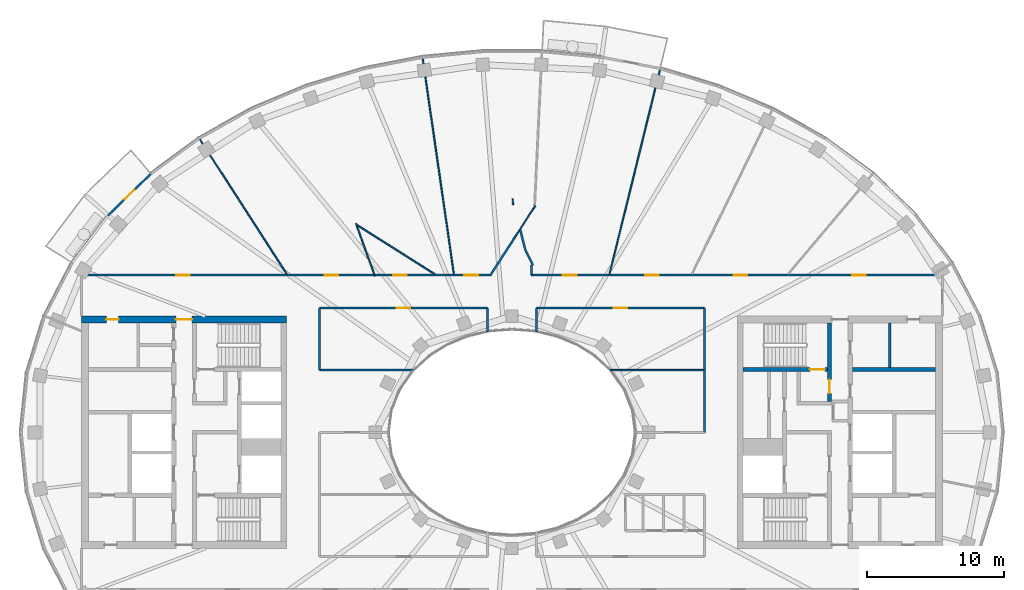
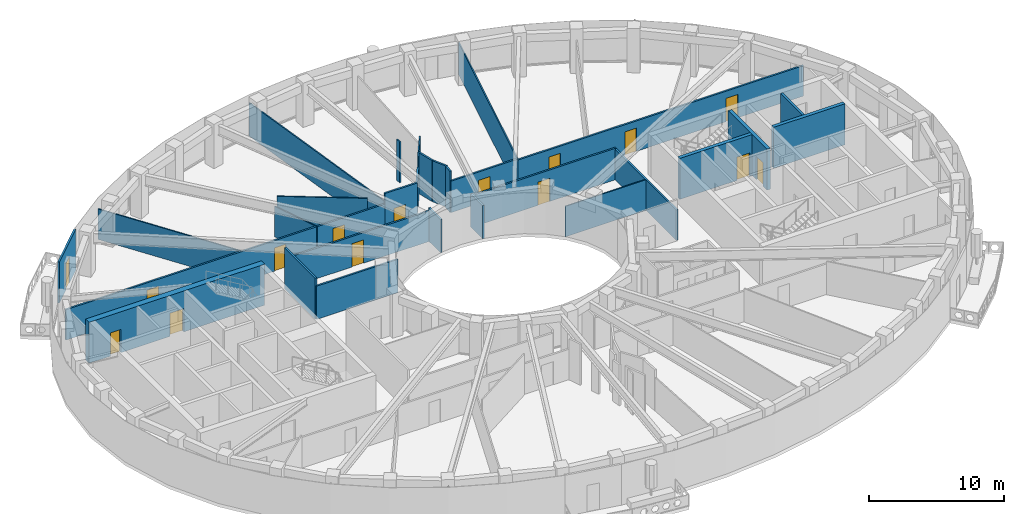
# One storey, part 6 of 16: 30 walls, 15 doors, 15 openings.
"""IFC4 building model written with IfcOpenShell, lengths in metres."""

from ifc_helpers import new_model, si_unit, direction, frame, frame_2d, origin, place, context, subcontext, project, spatial, rectangle, extrude, material, layer, layer_set, type_object, element, fill, save


model = new_model("IFC4")

# Units and contexts
model_context = context("Model", 3, precision=1e-05, world=origin(), true_north=direction((0.0, 1.0)))
body_context = subcontext(model_context, "Body", "Model", "MODEL_VIEW")
ifc_project = project(units=[si_unit("LENGTHUNIT", "METRE"), si_unit("AREAUNIT", "SQUARE_METRE"), si_unit("VOLUMEUNIT", "CUBIC_METRE"), si_unit("PLANEANGLEUNIT", "RADIAN"), si_unit("MASSUNIT", "GRAM", prefix="KILO")], contexts=[model_context])

# Site, building, storey
site_placement = place(None, origin())
site = spatial("IfcSite", under=ifc_project, at=site_placement, CompositionType="ELEMENT")
building_placement = place(site_placement, origin())
building = spatial("IfcBuilding", under=site, at=building_placement, Name="Noorbagh Ring Tower", CompositionType="ELEMENT")
storey_placement = place(building_placement, frame((0.0, 0.0, 315.0)))
storey = spatial("IfcBuildingStorey", under=building, at=storey_placement, Name="L68", CompositionType="ELEMENT", Elevation=315.0)

# Walls
ifc_material_1 = material(Name="Gypsum board on steel studs", Category="steel")
ifc_layer_1 = layer(ifc_material_1, 0.199951171875)
ifc_layer_set_1 = layer_set([ifc_layer_1], Name="Gypsum board on steel studs")
wall_type_1 = type_object("IfcWallType", Name="CORE-PARTITION-200", PredefinedType="PARTITIONING", material=ifc_layer_set_1)
wall_1_placement = place(storey_placement, frame((27.64990234375, 4.75, 0.0), z_axis=(0.0, 0.0, 1.0), x_axis=(0.0, 1.0, 0.0)))
element("IfcWall", 1, at=wall_1_placement, inside=storey, type_object=wall_type_1, Name="Core partition E", PredefinedType="PARTITIONING", context=body_context, shape_type="SweptSolid", body=[
    extrude(rectangle(XDim=3.25, YDim=0.199951171875, at=frame_2d((1.625, 0.0))), origin(), (0.0, 0.0, 1.0), 3.699951171875),
])
ifc_material_2 = material(Name="Concrete C50/60", Category="concrete")
ifc_layer_2 = layer(ifc_material_2, 0.300048828125)
ifc_layer_set_2 = layer_set([ifc_layer_2], Name="Concrete C50/60")
wall_type_2 = type_object("IfcWallType", Name="CORE-WALL-300-C50-60-EI240", PredefinedType="SHEAR", material=ifc_layer_set_2)
wall_2_placement = place(storey_placement, frame((24.89990234375, 4.60009765625, 0.0), z_axis=(0.0, 0.0, 1.0), x_axis=(1.0, 0.0, 0.0)))
element("IfcWall", 2, at=wall_2_placement, inside=storey, type_object=wall_type_2, Name="Core wall E", PredefinedType="SHEAR", context=body_context, shape_type="SweptSolid", body=[
    extrude(rectangle(XDim=6.10009765625, YDim=0.300048828125, at=frame_2d((3.050048828125, 0.0))), origin(), (0.0, 0.0, 1.0), 3.699951171875),
])

# Wall, opening, door
wall_3_placement = place(storey_placement, frame((23.22998046875, 2.25, 0.0), z_axis=(0.0, 0.0, 1.0), x_axis=(0.0, 1.0, 0.0)))
wall_3 = element("IfcWall", 3, at=wall_3_placement, inside=storey, type_object=wall_type_2, Name="Core wall E", PredefinedType="SHEAR", context=body_context, shape_type="SweptSolid", body=[
    extrude(rectangle(XDim=5.75, YDim=0.300048828125, at=frame_2d((2.875, 0.0))), origin(), (0.0, 0.0, 1.0), 3.699951171875),
])
opening_1_placement = place(wall_3_placement, frame((0.60009765625, 0.0, 0.0)))
opening_1 = element("IfcOpeningElement", 4, at=opening_1_placement, cuts=wall_3, Name="Opening L68-CE07", PredefinedType="OPENING", context=body_context, shape_type="SweptSolid", body=[
    extrude(rectangle(XDim=1.0, YDim=2.10009765625, at=frame_2d((0.5, 1.050048828125))), frame((0.0, 0.16015625, 0.0), z_axis=(0.0, -1.0, 0.0), x_axis=(1.0, 0.0, 0.0)), (0.0, 0.0, 1.0), 0.320068359375),
])
ifc_material_3 = material(Name="Steel door leaf", Category="steel")
door_type_1 = type_object("IfcDoorType", Name="CORE-DOOR-DVEST", OperationType="SINGLE_SWING_LEFT", PredefinedType="DOOR", material=ifc_material_3)
door_1_placement = place(opening_1_placement, origin())
door_1 = element("IfcDoor", 5, at=door_1_placement, inside=storey, type_object=door_type_1, Name="Stair vestibule door L68-CE07", OperationType="SINGLE_SWING_RIGHT", OverallHeight=2.10009765625, OverallWidth=1.0, PredefinedType="DOOR", context=body_context, shape_type="SweptSolid", body=[
    extrude(rectangle(XDim=1.0, YDim=2.10009765625, at=frame_2d((0.5, 1.050048828125))), frame((0.0, 0.02490234375, 0.0), z_axis=(0.0, -1.0, 0.0), x_axis=(1.0, 0.0, 0.0)), (0.0, 0.0, 1.0), 0.050048828125),
])
fill(opening_1, door_1)

wall_4_placement = place(storey_placement, frame((16.89990234375, 4.60009765625, 0.0), z_axis=(0.0, 0.0, 1.0), x_axis=(1.0, 0.0, 0.0)))
wall_4 = element("IfcWall", 6, at=wall_4_placement, inside=storey, type_object=wall_type_2, Name="Core wall E", PredefinedType="SHEAR", context=body_context, shape_type="SweptSolid", body=[
    extrude(rectangle(XDim=6.18017578125, YDim=0.300048828125, at=frame_2d((3.090087890625, 0.0))), origin(), (0.0, 0.0, 1.0), 3.699951171875),
])
opening_2_placement = place(wall_4_placement, frame((4.89990234375, 0.0, 0.0)))
opening_2 = element("IfcOpeningElement", 7, at=opening_2_placement, cuts=wall_4, Name="Opening L68-CE04", PredefinedType="OPENING", context=body_context, shape_type="SweptSolid", body=[
    extrude(rectangle(XDim=1.10009765625, YDim=2.10009765625, at=frame_2d((0.550048828125, 1.050048828125))), frame((0.0, 0.16015625, 0.0), z_axis=(0.0, -1.0, 0.0), x_axis=(1.0, 0.0, 0.0)), (0.0, 0.0, 1.0), 0.320068359375),
])
ifc_material_4 = material(Name="Steel door leaf", Category="steel")
door_type_2 = type_object("IfcDoorType", Name="CORE-DOOR-DSTAIR", OperationType="SINGLE_SWING_LEFT", PredefinedType="DOOR", material=ifc_material_4)
door_2_placement = place(opening_2_placement, origin())
door_2 = element("IfcDoor", 8, at=door_2_placement, inside=storey, type_object=door_type_2, Name="Stair door ST3 L68-CE04", OperationType="SINGLE_SWING_LEFT", OverallHeight=2.10009765625, OverallWidth=1.10009765625, PredefinedType="DOOR", context=body_context, shape_type="SweptSolid", body=[
    extrude(rectangle(XDim=1.10009765625, YDim=2.10009765625, at=frame_2d((0.550048828125, 1.050048828125))), frame((0.0, 0.02490234375, 0.0), z_axis=(0.0, -1.0, 0.0), x_axis=(1.0, 0.0, 0.0)), (0.0, 0.0, 1.0), 0.050048828125),
])
fill(opening_2, door_2)

# Wall, openings, doors
ifc_material_5 = material(Name="Concrete C50/60", Category="concrete")
ifc_layer_3 = layer(ifc_material_5, 0.5)
ifc_layer_set_3 = layer_set([ifc_layer_3], Name="Concrete C50/60")
wall_type_3 = type_object("IfcWallType", Name="CORE-WALL-500-C50-60-EI240", PredefinedType="SHEAR", material=ifc_layer_set_3)
wall_5_placement = place(storey_placement, frame((-16.5, 8.25, 0.0), z_axis=(0.0, 0.0, 1.0), x_axis=(-1.0, 0.0, 0.0)))
wall_5 = element("IfcWall", 9, at=wall_5_placement, inside=storey, type_object=wall_type_3, Name="Core wall W", PredefinedType="SHEAR", context=body_context, shape_type="SweptSolid", body=[
    extrude(rectangle(XDim=15.0, YDim=0.5, at=frame_2d((7.5, 0.0))), origin(), (0.0, 0.0, 1.0), 3.699951171875),
])
opening_3_placement = place(wall_5_placement, frame((6.89990234375, 0.0, 0.0)))
opening_3 = element("IfcOpeningElement", 10, at=opening_3_placement, cuts=wall_5, Name="Opening L68-CW09", PredefinedType="OPENING", context=body_context, shape_type="SweptSolid", body=[
    extrude(rectangle(XDim=1.199951171875, YDim=2.10009765625, at=frame_2d((0.60009765625, 1.050048828125))), frame((0.0, 0.260009765625, 0.0), z_axis=(0.0, -1.0, 0.0), x_axis=(1.0, 0.0, 0.0)), (0.0, 0.0, 1.0), 0.52001953125),
])
opening_4_placement = place(wall_5_placement, frame((12.27490234375, 0.0, 0.0)))
opening_4 = element("IfcOpeningElement", 11, at=opening_4_placement, cuts=wall_5, Name="Opening L68-CW14", PredefinedType="OPENING", context=body_context, shape_type="SweptSolid", body=[
    extrude(rectangle(XDim=0.89990234375, YDim=2.10009765625, at=frame_2d((0.449951171875, 1.050048828125))), frame((0.0, 0.260009765625, 0.0), z_axis=(0.0, -1.0, 0.0), x_axis=(1.0, 0.0, 0.0)), (0.0, 0.0, 1.0), 0.52001953125),
])
ifc_material_6 = material(Name="Steel door leaf", Category="steel")
door_type_3 = type_object("IfcDoorType", Name="CORE-DOOR-DROOM", OperationType="SINGLE_SWING_LEFT", PredefinedType="DOOR", material=ifc_material_6)
door_3_placement = place(opening_4_placement, origin())
door_3 = element("IfcDoor", 12, at=door_3_placement, inside=storey, type_object=door_type_3, Name="Core room door L68-CW14", OperationType="SINGLE_SWING_RIGHT", OverallHeight=2.10009765625, OverallWidth=0.89990234375, PredefinedType="DOOR", context=body_context, shape_type="SweptSolid", body=[
    extrude(rectangle(XDim=0.89990234375, YDim=2.10009765625, at=frame_2d((0.449951171875, 1.050048828125))), frame((0.0, 0.02490234375, 0.0), z_axis=(0.0, -1.0, 0.0), x_axis=(1.0, 0.0, 0.0)), (0.0, 0.0, 1.0), 0.050048828125),
])
fill(opening_4, door_3)
ifc_material_7 = material(Name="Steel door leaf", Category="steel")
door_type_4 = type_object("IfcDoorType", Name="CORE-DOOR-PORT", OperationType="DOUBLE_DOOR_DOUBLE_SWING", PredefinedType="DOOR", material=ifc_material_7)
door_4_placement = place(opening_3_placement, origin())
door_4 = element("IfcDoor", 13, at=door_4_placement, inside=storey, type_object=door_type_4, Name="Core entrance door L68-CW09", OperationType="DOUBLE_DOOR_DOUBLE_SWING", OverallHeight=2.10009765625, OverallWidth=1.199951171875, PredefinedType="DOOR", context=body_context, shape_type="SweptSolid", body=[
    extrude(rectangle(XDim=1.199951171875, YDim=2.10009765625, at=frame_2d((0.60009765625, 1.050048828125))), frame((0.0, 0.02490234375, 0.0), z_axis=(0.0, -1.0, 0.0), x_axis=(1.0, 0.0, 0.0)), (0.0, 0.0, 1.0), 0.050048828125),
])
fill(opening_3, door_4)

ifc_material_8 = material(Name="Gypsum board on steel studs", Category="steel")
ifc_layer_4 = layer(ifc_material_8, 0.14990234375)
ifc_layer_set_4 = layer_set([ifc_layer_4], Name="Gypsum board on steel studs")
wall_type_4 = type_object("IfcWallType", Name="CORRIDOR PARTITION 150 EI 30", PredefinedType="PARTITIONING", material=ifc_layer_set_4)
wall_6_placement = place(storey_placement, frame((-31.5, 11.5, 0.0), z_axis=(0.0, 0.0, 1.0), x_axis=(1.0, 0.0, 0.0)))
wall_6 = element("IfcWall", 14, at=wall_6_placement, inside=storey, type_object=wall_type_4, Name="L68/wall/P05", PredefinedType="PARTITIONING", context=body_context, shape_type="SweptSolid", body=[
    extrude(rectangle(XDim=21.431884765625, YDim=0.14990234375, at=frame_2d((10.7158203125, 0.0))), origin(), (0.0, 0.0, 1.0), 2.75),
])
opening_5_placement = place(wall_6_placement, frame((6.926025390625, 0.0, 0.0)))
opening_5 = element("IfcOpeningElement", 15, at=opening_5_placement, cuts=wall_6, Name="Opening D1", PredefinedType="OPENING", context=body_context, shape_type="SweptSolid", body=[
    extrude(rectangle(XDim=1.0, YDim=2.10009765625, at=frame_2d((0.5, 1.050048828125))), frame((0.0, 0.0849609375, 0.0), z_axis=(0.0, -1.0, 0.0), x_axis=(1.0, 0.0, 0.0)), (0.0, 0.0, 1.0), 0.169921875),
])
opening_6_placement = place(wall_6_placement, frame((17.7939453125, 0.0, 0.0)))
opening_6 = element("IfcOpeningElement", 16, at=opening_6_placement, cuts=wall_6, Name="Opening D1", PredefinedType="OPENING", context=body_context, shape_type="SweptSolid", body=[
    extrude(rectangle(XDim=1.0, YDim=2.10009765625, at=frame_2d((0.5, 1.050048828125))), frame((0.0, 0.0849609375, 0.0), z_axis=(0.0, -1.0, 0.0), x_axis=(1.0, 0.0, 0.0)), (0.0, 0.0, 1.0), 0.169921875),
])
ifc_material_9 = material(Name="Timber, painted", Category="wood")
door_type_5 = type_object("IfcDoorType", Name="DOOR 1000 X 2100 FD30", OperationType="SINGLE_SWING_LEFT", PredefinedType="DOOR", material=ifc_material_9)
door_5_placement = place(opening_5_placement, origin())
door_5 = element("IfcDoor", 17, at=door_5_placement, inside=storey, type_object=door_type_5, Name="L68-D07", OperationType="SINGLE_SWING_LEFT", OverallHeight=2.10009765625, OverallWidth=1.0, PredefinedType="DOOR", context=body_context, shape_type="SweptSolid", body=[
    extrude(rectangle(XDim=1.0, YDim=2.10009765625, at=frame_2d((0.5, 1.050048828125))), frame((0.0, 0.02490234375, 0.0), z_axis=(0.0, -1.0, 0.0), x_axis=(1.0, 0.0, 0.0)), (0.0, 0.0, 1.0), 0.050048828125),
])
fill(opening_5, door_5)
door_6_placement = place(opening_6_placement, origin())
door_6 = element("IfcDoor", 18, at=door_6_placement, inside=storey, type_object=door_type_5, Name="L68-D10", OperationType="SINGLE_SWING_RIGHT", OverallHeight=2.10009765625, OverallWidth=1.0, PredefinedType="DOOR", context=body_context, shape_type="SweptSolid", body=[
    extrude(rectangle(XDim=1.0, YDim=2.10009765625, at=frame_2d((0.5, 1.050048828125))), frame((0.0, 0.02490234375, 0.0), z_axis=(0.0, -1.0, 0.0), x_axis=(1.0, 0.0, 0.0)), (0.0, 0.0, 1.0), 0.050048828125),
])
fill(opening_6, door_6)

# Walls
wall_7_placement = place(storey_placement, frame((-14.10009765625, 4.550048828125, 0.0), z_axis=(0.0, 0.0, 1.0), x_axis=(0.0, 1.0, 0.0)))
element("IfcWall", 19, at=wall_7_placement, inside=storey, type_object=wall_type_4, Name="L68/wall/P14", PredefinedType="PARTITIONING", context=body_context, shape_type="SweptSolid", body=[
    extrude(rectangle(XDim=4.550048828125, YDim=0.14990234375, at=frame_2d((2.27490234375, 0.0))), origin(), (0.0, 0.0, 1.0), 3.699951171875),
])
wall_8_placement = place(storey_placement, frame((-14.10009765625, 4.550048828125, 0.0), z_axis=(0.0, 0.0, 1.0), x_axis=(1.0, 0.0, 0.0)))
element("IfcWall", 20, at=wall_8_placement, inside=storey, type_object=wall_type_4, Name="L68/wall/P15", PredefinedType="PARTITIONING", context=body_context, shape_type="SweptSolid", body=[
    extrude(rectangle(XDim=6.966064453125, YDim=0.14990234375, at=frame_2d((3.48291015625, 0.0))), origin(), (0.0, 0.0, 1.0), 3.0),
])

# Wall, opening, door
wall_9_placement = place(storey_placement, frame((-14.10009765625, 9.10009765625, 0.0), z_axis=(0.0, 0.0, 1.0), x_axis=(1.0, 0.0, 0.0)))
wall_9 = element("IfcWall", 21, at=wall_9_placement, inside=storey, type_object=wall_type_4, Name="L68/wall/P16", PredefinedType="PARTITIONING", context=body_context, shape_type="SweptSolid", body=[
    extrude(rectangle(XDim=12.300048828125, YDim=0.14990234375, at=frame_2d((6.14990234375, 0.0))), origin(), (0.0, 0.0, 1.0), 2.75),
])
opening_7_placement = place(wall_9_placement, frame((5.64990234375, 0.0, 0.0)))
opening_7 = element("IfcOpeningElement", 22, at=opening_7_placement, cuts=wall_9, Name="Opening D1", PredefinedType="OPENING", context=body_context, shape_type="SweptSolid", body=[
    extrude(rectangle(XDim=1.0, YDim=2.10009765625, at=frame_2d((0.5, 1.050048828125))), frame((0.0, 0.0849609375, 0.0), z_axis=(0.0, -1.0, 0.0), x_axis=(1.0, 0.0, 0.0)), (0.0, 0.0, 1.0), 0.169921875),
])
door_7_placement = place(opening_7_placement, origin())
door_7 = element("IfcDoor", 23, at=door_7_placement, inside=storey, type_object=door_type_5, Name="L68-D27", OperationType="SINGLE_SWING_LEFT", OverallHeight=2.10009765625, OverallWidth=1.0, PredefinedType="DOOR", context=body_context, shape_type="SweptSolid", body=[
    extrude(rectangle(XDim=1.0, YDim=2.10009765625, at=frame_2d((0.5, 1.050048828125))), frame((0.0, 0.02490234375, 0.0), z_axis=(0.0, -1.0, 0.0), x_axis=(1.0, 0.0, 0.0)), (0.0, 0.0, 1.0), 0.050048828125),
])
fill(opening_7, door_7)

wall_10_placement = place(storey_placement, frame((-10.0029296875, 11.5, 0.0), z_axis=(0.0, 0.0, 1.0), x_axis=(1.0, 0.0, 0.0)))
wall_10 = element("IfcWall", 24, at=wall_10_placement, inside=storey, type_object=wall_type_4, Name="L68/wall/P21", PredefinedType="PARTITIONING", context=body_context, shape_type="SweptSolid", body=[
    extrude(rectangle(XDim=5.740966796875, YDim=0.14990234375, at=frame_2d((2.87060546875, 0.0))), origin(), (0.0, 0.0, 1.0), 2.75),
])
opening_8_placement = place(wall_10_placement, frame((1.31494140625, 0.0, 0.0)))
opening_8 = element("IfcOpeningElement", 25, at=opening_8_placement, cuts=wall_10, Name="Opening D1", PredefinedType="OPENING", context=body_context, shape_type="SweptSolid", body=[
    extrude(rectangle(XDim=1.0, YDim=2.10009765625, at=frame_2d((0.5, 1.050048828125))), frame((0.0, 0.0849609375, 0.0), z_axis=(0.0, -1.0, 0.0), x_axis=(1.0, 0.0, 0.0)), (0.0, 0.0, 1.0), 0.169921875),
])
door_8_placement = place(opening_8_placement, origin())
door_8 = element("IfcDoor", 26, at=door_8_placement, inside=storey, type_object=door_type_5, Name="L68-D13", OperationType="SINGLE_SWING_RIGHT", OverallHeight=2.10009765625, OverallWidth=1.0, PredefinedType="DOOR", context=body_context, shape_type="SweptSolid", body=[
    extrude(rectangle(XDim=1.0, YDim=2.10009765625, at=frame_2d((0.5, 1.050048828125))), frame((0.0, 0.02490234375, 0.0), z_axis=(0.0, -1.0, 0.0), x_axis=(1.0, 0.0, 0.0)), (0.0, 0.0, 1.0), 0.050048828125),
])
fill(opening_8, door_8)

wall_11_placement = place(storey_placement, frame((-4.241943359375, 11.5, 0.0), z_axis=(0.0, 0.0, 1.0), x_axis=(1.0, 0.0, 0.0)))
wall_11 = element("IfcWall", 27, at=wall_11_placement, inside=storey, type_object=wall_type_4, Name="L68/wall/P23", PredefinedType="PARTITIONING", context=body_context, shape_type="SweptSolid", body=[
    extrude(rectangle(XDim=2.7509765625, YDim=0.14990234375, at=frame_2d((1.37548828125, 0.0))), origin(), (0.0, 0.0, 1.0), 3.699951171875),
])
opening_9_placement = place(wall_11_placement, frame((0.761962890625, 0.0, 0.0)))
opening_9 = element("IfcOpeningElement", 28, at=opening_9_placement, cuts=wall_11, Name="Opening D1", PredefinedType="OPENING", context=body_context, shape_type="SweptSolid", body=[
    extrude(rectangle(XDim=1.0, YDim=2.10009765625, at=frame_2d((0.5, 1.050048828125))), frame((0.0, 0.0849609375, 0.0), z_axis=(0.0, -1.0, 0.0), x_axis=(1.0, 0.0, 0.0)), (0.0, 0.0, 1.0), 0.169921875),
])
door_9_placement = place(opening_9_placement, origin())
door_9 = element("IfcDoor", 29, at=door_9_placement, inside=storey, type_object=door_type_5, Name="L68-D14", OperationType="SINGLE_SWING_RIGHT", OverallHeight=2.10009765625, OverallWidth=1.0, PredefinedType="DOOR", context=body_context, shape_type="SweptSolid", body=[
    extrude(rectangle(XDim=1.0, YDim=2.10009765625, at=frame_2d((0.5, 1.050048828125))), frame((0.0, 0.02490234375, 0.0), z_axis=(0.0, -1.0, 0.0), x_axis=(1.0, 0.0, 0.0)), (0.0, 0.0, 1.0), 0.050048828125),
])
fill(opening_9, door_9)

# Walls
wall_12_placement = place(storey_placement, frame((-1.800048828125, 7.3359375, 0.0), z_axis=(0.0, 0.0, 1.0), x_axis=(0.0, 1.0, 0.0)))
element("IfcWall", 30, at=wall_12_placement, inside=storey, type_object=wall_type_4, Name="L68/wall/P25", PredefinedType="PARTITIONING", context=body_context, shape_type="SweptSolid", body=[
    extrude(rectangle(XDim=1.76416015625, YDim=0.14990234375, at=frame_2d((0.882080078125, 0.0))), origin(), (0.0, 0.0, 1.0), 3.0),
])
wall_13_placement = place(storey_placement, frame((-1.531982421875, 11.574951171875, 0.0), z_axis=(0.0, 0.0, 1.0), x_axis=(0.542841801378, 0.839834971096, 0.0)))
element("IfcWall", 31, at=wall_13_placement, inside=storey, type_object=wall_type_4, Name="L68/wall/P27", PredefinedType="PARTITIONING", context=body_context, shape_type="SweptSolid", body=[
    extrude(rectangle(XDim=3.164794921875, YDim=0.14990234375, at=frame_2d((1.58251953125, 0.0))), origin(), (0.0, 0.0, 1.0), 2.85009765625),
])
wall_14_placement = place(storey_placement, frame((0.60791015625, 14.822021484375, 0.0), z_axis=(0.0, 0.0, 1.0), x_axis=(0.241370860872, -0.970432948494, 0.0)))
element("IfcWall", 32, at=wall_14_placement, inside=storey, type_object=wall_type_4, Name="L68/wall/P37", PredefinedType="PARTITIONING", context=body_context, shape_type="SweptSolid", body=[
    extrude(rectangle(XDim=1.479736328125, YDim=0.14990234375, at=frame_2d((0.73974609375, 0.0))), origin(), (0.0, 0.0, 1.0), 3.699951171875),
])
wall_15_placement = place(storey_placement, frame((0.97705078125, 13.35302734375, 0.0), z_axis=(0.0, 0.0, 1.0), x_axis=(0.439698529064, -0.898145424494, 0.0)))
element("IfcWall", 33, at=wall_15_placement, inside=storey, type_object=wall_type_4, Name="L68/wall/P39", PredefinedType="PARTITIONING", context=body_context, shape_type="SweptSolid", body=[
    extrude(rectangle(XDim=1.237060546875, YDim=0.14990234375, at=frame_2d((0.61865234375, 0.0))), origin(), (0.0, 0.0, 1.0), 3.699951171875),
])

# Wall, opening, door
wall_16_placement = place(storey_placement, frame((1.403076171875, 11.5, 0.0), z_axis=(0.0, 0.0, 1.0), x_axis=(1.0, 0.0, 0.0)))
wall_16 = element("IfcWall", 34, at=wall_16_placement, inside=storey, type_object=wall_type_4, Name="L68/wall/P40", PredefinedType="PARTITIONING", context=body_context, shape_type="SweptSolid", body=[
    extrude(rectangle(XDim=5.708984375, YDim=0.14990234375, at=frame_2d((2.8544921875, 0.0))), origin(), (0.0, 0.0, 1.0), 2.85009765625),
])
opening_10_placement = place(wall_16_placement, frame((2.325927734375, 0.0, 0.0)))
opening_10 = element("IfcOpeningElement", 35, at=opening_10_placement, cuts=wall_16, Name="Opening D1", PredefinedType="OPENING", context=body_context, shape_type="SweptSolid", body=[
    extrude(rectangle(XDim=1.0, YDim=2.10009765625, at=frame_2d((0.5, 1.050048828125))), frame((0.0, 0.0849609375, 0.0), z_axis=(0.0, -1.0, 0.0), x_axis=(1.0, 0.0, 0.0)), (0.0, 0.0, 1.0), 0.169921875),
])
door_10_placement = place(opening_10_placement, origin())
door_10 = element("IfcDoor", 36, at=door_10_placement, inside=storey, type_object=door_type_5, Name="L68-D16", OperationType="SINGLE_SWING_RIGHT", OverallHeight=2.10009765625, OverallWidth=1.0, PredefinedType="DOOR", context=body_context, shape_type="SweptSolid", body=[
    extrude(rectangle(XDim=1.0, YDim=2.10009765625, at=frame_2d((0.5, 1.050048828125))), frame((0.0, 0.02490234375, 0.0), z_axis=(0.0, -1.0, 0.0), x_axis=(1.0, 0.0, 0.0)), (0.0, 0.0, 1.0), 0.050048828125),
])
fill(opening_10, door_10)

# Walls
wall_17_placement = place(storey_placement, frame((1.410888671875, 11.507080078125, 0.0), z_axis=(0.0, 0.0, 1.0), x_axis=(0.047484575885, 0.998871971302, 0.0)))
element("IfcWall", 37, at=wall_17_placement, inside=storey, type_object=wall_type_4, Name="L68/wall/P41", PredefinedType="PARTITIONING", context=body_context, shape_type="SweptSolid", body=[
    extrude(rectangle(XDim=0.7197265625, YDim=0.14990234375, at=frame_2d((0.35986328125, 0.0))), origin(), (0.0, 0.0, 1.0), 3.699951171875),
])
wall_18_placement = place(storey_placement, frame((1.800048828125, 7.3359375, 0.0), z_axis=(0.0, 0.0, 1.0), x_axis=(0.0, 1.0, 0.0)))
element("IfcWall", 38, at=wall_18_placement, inside=storey, type_object=wall_type_4, Name="L68/wall/P47", PredefinedType="PARTITIONING", context=body_context, shape_type="SweptSolid", body=[
    extrude(rectangle(XDim=1.76416015625, YDim=0.14990234375, at=frame_2d((0.882080078125, 0.0))), origin(), (0.0, 0.0, 1.0), 3.0),
])

# Wall, opening, door
wall_19_placement = place(storey_placement, frame((1.800048828125, 9.10009765625, 0.0), z_axis=(0.0, 0.0, 1.0), x_axis=(1.0, 0.0, 0.0)))
wall_19 = element("IfcWall", 39, at=wall_19_placement, inside=storey, type_object=wall_type_4, Name="L68/wall/P48", PredefinedType="PARTITIONING", context=body_context, shape_type="SweptSolid", body=[
    extrude(rectangle(XDim=12.300048828125, YDim=0.14990234375, at=frame_2d((6.14990234375, 0.0))), origin(), (0.0, 0.0, 1.0), 2.85009765625),
])
opening_11_placement = place(wall_19_placement, frame((5.64990234375, 0.0, 0.0)))
opening_11 = element("IfcOpeningElement", 40, at=opening_11_placement, cuts=wall_19, Name="Opening D1", PredefinedType="OPENING", context=body_context, shape_type="SweptSolid", body=[
    extrude(rectangle(XDim=1.0, YDim=2.10009765625, at=frame_2d((0.5, 1.050048828125))), frame((0.0, 0.0849609375, 0.0), z_axis=(0.0, -1.0, 0.0), x_axis=(1.0, 0.0, 0.0)), (0.0, 0.0, 1.0), 0.169921875),
])
door_11_placement = place(opening_11_placement, origin())
door_11 = element("IfcDoor", 41, at=door_11_placement, inside=storey, type_object=door_type_5, Name="L68-D28", OperationType="SINGLE_SWING_RIGHT", OverallHeight=2.10009765625, OverallWidth=1.0, PredefinedType="DOOR", context=body_context, shape_type="SweptSolid", body=[
    extrude(rectangle(XDim=1.0, YDim=2.10009765625, at=frame_2d((0.5, 1.050048828125))), frame((0.0, 0.02490234375, 0.0), z_axis=(0.0, -1.0, 0.0), x_axis=(1.0, 0.0, 0.0)), (0.0, 0.0, 1.0), 0.050048828125),
])
fill(opening_11, door_11)

# Wall, openings, doors
wall_20_placement = place(storey_placement, frame((7.12890625, 11.5, 0.0), z_axis=(0.0, 0.0, 1.0), x_axis=(1.0, 0.0, 0.0)))
wall_20 = element("IfcWall", 42, at=wall_20_placement, inside=storey, type_object=wall_type_4, Name="L68/wall/P53", PredefinedType="PARTITIONING", context=body_context, shape_type="SweptSolid", body=[
    extrude(rectangle(XDim=24.37109375, YDim=0.14990234375, at=frame_2d((12.185546875, 0.0))), origin(), (0.0, 0.0, 1.0), 2.75),
])
opening_12_placement = place(wall_20_placement, frame((2.60888671875, 0.0, 0.0)))
opening_12 = element("IfcOpeningElement", 43, at=opening_12_placement, cuts=wall_20, Name="Opening D1", PredefinedType="OPENING", context=body_context, shape_type="SweptSolid", body=[
    extrude(rectangle(XDim=1.0, YDim=2.10009765625, at=frame_2d((0.5, 1.050048828125))), frame((0.0, 0.0849609375, 0.0), z_axis=(0.0, -1.0, 0.0), x_axis=(1.0, 0.0, 0.0)), (0.0, 0.0, 1.0), 0.169921875),
])
opening_13_placement = place(wall_20_placement, frame((9.10009765625, 0.0, 0.0)))
opening_13 = element("IfcOpeningElement", 44, at=opening_13_placement, cuts=wall_20, Name="Opening D1", PredefinedType="OPENING", context=body_context, shape_type="SweptSolid", body=[
    extrude(rectangle(XDim=1.0, YDim=2.10009765625, at=frame_2d((0.5, 1.050048828125))), frame((0.0, 0.0849609375, 0.0), z_axis=(0.0, -1.0, 0.0), x_axis=(1.0, 0.0, 0.0)), (0.0, 0.0, 1.0), 0.169921875),
])
opening_14_placement = place(wall_20_placement, frame((17.7548828125, 0.0, 0.0)))
opening_14 = element("IfcOpeningElement", 45, at=opening_14_placement, cuts=wall_20, Name="Opening D1", PredefinedType="OPENING", context=body_context, shape_type="SweptSolid", body=[
    extrude(rectangle(XDim=1.0, YDim=2.10009765625, at=frame_2d((0.5, 1.050048828125))), frame((0.0, 0.0849609375, 0.0), z_axis=(0.0, -1.0, 0.0), x_axis=(1.0, 0.0, 0.0)), (0.0, 0.0, 1.0), 0.169921875),
])
door_12_placement = place(opening_12_placement, origin())
door_12 = element("IfcDoor", 46, at=door_12_placement, inside=storey, type_object=door_type_5, Name="L68-D18", OperationType="SINGLE_SWING_RIGHT", OverallHeight=2.10009765625, OverallWidth=1.0, PredefinedType="DOOR", context=body_context, shape_type="SweptSolid", body=[
    extrude(rectangle(XDim=1.0, YDim=2.10009765625, at=frame_2d((0.5, 1.050048828125))), frame((0.0, 0.02490234375, 0.0), z_axis=(0.0, -1.0, 0.0), x_axis=(1.0, 0.0, 0.0)), (0.0, 0.0, 1.0), 0.050048828125),
])
fill(opening_12, door_12)
door_13_placement = place(opening_13_placement, origin())
door_13 = element("IfcDoor", 47, at=door_13_placement, inside=storey, type_object=door_type_5, Name="L68-D20", OperationType="SINGLE_SWING_RIGHT", OverallHeight=2.10009765625, OverallWidth=1.0, PredefinedType="DOOR", context=body_context, shape_type="SweptSolid", body=[
    extrude(rectangle(XDim=1.0, YDim=2.10009765625, at=frame_2d((0.5, 1.050048828125))), frame((0.0, 0.02490234375, 0.0), z_axis=(0.0, -1.0, 0.0), x_axis=(1.0, 0.0, 0.0)), (0.0, 0.0, 1.0), 0.050048828125),
])
fill(opening_13, door_13)
door_14_placement = place(opening_14_placement, origin())
door_14 = element("IfcDoor", 48, at=door_14_placement, inside=storey, type_object=door_type_5, Name="L68-D22", OperationType="SINGLE_SWING_RIGHT", OverallHeight=2.10009765625, OverallWidth=1.0, PredefinedType="DOOR", context=body_context, shape_type="SweptSolid", body=[
    extrude(rectangle(XDim=1.0, YDim=2.10009765625, at=frame_2d((0.5, 1.050048828125))), frame((0.0, 0.02490234375, 0.0), z_axis=(0.0, -1.0, 0.0), x_axis=(1.0, 0.0, 0.0)), (0.0, 0.0, 1.0), 0.050048828125),
])
fill(opening_14, door_14)

# Wall
wall_21_placement = place(storey_placement, frame((14.10009765625, 0.0, 0.0), z_axis=(0.0, 0.0, 1.0), x_axis=(0.0, 1.0, 0.0)))
element("IfcWall", 49, at=wall_21_placement, inside=storey, type_object=wall_type_4, Name="L68/wall/P66", PredefinedType="PARTITIONING", context=body_context, shape_type="SweptSolid", body=[
    extrude(rectangle(XDim=9.10009765625, YDim=0.14990234375, at=frame_2d((4.550048828125, 0.0))), origin(), (0.0, 0.0, 1.0), 2.75),
])

# Wall, opening, door
ifc_material_10 = material(Name="Insulated aluminium clad panel", Category="aluminium")
ifc_layer_5 = layer(ifc_material_10, 0.14990234375)
ifc_layer_set_5 = layer_set([ifc_layer_5], Name="Insulated aluminium clad panel")
wall_type_5 = type_object("IfcWallType", Name="ENV-WALL-DOOR", PredefinedType="STANDARD", material=ifc_layer_set_5)
wall_22_placement = place(storey_placement, frame((-26.396484375, 18.943359375, 0.0), z_axis=(0.0, 0.0, 1.0), x_axis=(-0.717214761864, -0.696852197647, 0.0)))
wall_22 = element("IfcWall", 50, at=wall_22_placement, inside=storey, type_object=wall_type_5, Name="Balcony door wall chord 19", PredefinedType="STANDARD", context=body_context, shape_type="SweptSolid", body=[
    extrude(rectangle(XDim=4.424072265625, YDim=0.14990234375, at=frame_2d((2.2119140625, 0.0))), origin(), (0.0, 0.0, 1.0), 3.699951171875),
])
opening_15_placement = place(wall_22_placement, frame((1.712158203125, 0.0, 0.0)))
opening_15 = element("IfcOpeningElement", 51, at=opening_15_placement, cuts=wall_22, Name="Opening D-BL", PredefinedType="OPENING", context=body_context, shape_type="SweptSolid", body=[
    extrude(rectangle(XDim=1.0, YDim=2.39990234375, at=frame_2d((0.5, 1.199951171875))), frame((0.0, 0.0849609375, 0.0), z_axis=(0.0, -1.0, 0.0), x_axis=(1.0, 0.0, 0.0)), (0.0, 0.0, 1.0), 0.169921875),
])
ifc_material_11 = material(Name="Aluminium and glass", Category="aluminium")
door_type_6 = type_object("IfcDoorType", Name="ENV-DOOR-BALCONY", OperationType="SINGLE_SWING_LEFT", PredefinedType="DOOR", material=ifc_material_11)
door_15_placement = place(opening_15_placement, origin())
door_15 = element("IfcDoor", 52, at=door_15_placement, inside=storey, type_object=door_type_6, Name="Balcony door chord 19", OperationType="SINGLE_SWING_LEFT", OverallHeight=2.39990234375, OverallWidth=1.0, PredefinedType="DOOR", context=body_context, shape_type="SweptSolid", body=[
    extrude(rectangle(XDim=1.0, YDim=2.39990234375, at=frame_2d((0.5, 1.199951171875))), frame((0.0, 0.02490234375, 0.0), z_axis=(0.0, -1.0, 0.0), x_axis=(1.0, 0.0, 0.0)), (0.0, 0.0, 1.0), 0.050048828125),
])
fill(opening_15, door_15)

# Walls
ifc_material_12 = material(Name="Gypsum board on steel studs", Category="steel")
ifc_layer_6 = layer(ifc_material_12, 0.10009765625)
ifc_layer_set_6 = layer_set([ifc_layer_6], Name="Gypsum board on steel studs")
wall_type_6 = type_object("IfcWallType", Name="PARTITION 100 GYPSUM", PredefinedType="PARTITIONING", material=ifc_layer_set_6)
wall_23_placement = place(storey_placement, frame((-22.905029296875, 21.5419921875, 0.0), z_axis=(0.0, 0.0, 1.0), x_axis=(0.54229092728, -0.840190782019, 0.0)))
element("IfcWall", 53, at=wall_23_placement, inside=storey, type_object=wall_type_6, Name="L68/wall/P08", PredefinedType="PARTITIONING", context=body_context, shape_type="SweptSolid", body=[
    extrude(rectangle(XDim=11.86279296875, YDim=0.10009765625, at=frame_2d((5.931396484375, 0.0))), origin(), (0.0, 0.0, 1.0), 2.75),
])
wall_24_placement = place(storey_placement, frame((-11.416015625, 15.281982421875, 0.0), z_axis=(0.0, 0.0, 1.0), x_axis=(0.33848088015, -0.940973269425, 0.0)))
element("IfcWall", 54, at=wall_24_placement, inside=storey, type_object=wall_type_6, Name="L68/wall/P18", PredefinedType="PARTITIONING", context=body_context, shape_type="SweptSolid", body=[
    extrude(rectangle(XDim=4.0947265625, YDim=0.10009765625, at=frame_2d((2.04736328125, 0.0))), origin(), (0.0, 0.0, 1.0), 2.75),
])
wall_25_placement = place(storey_placement, frame((-11.319091796875, 15.160888671875, 0.0), z_axis=(0.0, 0.0, 1.0), x_axis=(0.844865171483, -0.534979291203, 0.0)))
element("IfcWall", 55, at=wall_25_placement, inside=storey, type_object=wall_type_6, Name="L68/wall/P19", PredefinedType="PARTITIONING", context=body_context, shape_type="SweptSolid", body=[
    extrude(rectangle(XDim=6.702880859375, YDim=0.10009765625, at=frame_2d((3.3515625, 0.0))), origin(), (0.0, 0.0, 1.0), 3.699951171875),
])
wall_26_placement = place(storey_placement, frame((-6.552001953125, 27.48095703125, 0.0), z_axis=(0.0, 0.0, 1.0), x_axis=(0.143123019969, -0.989704906098, 0.0)))
element("IfcWall", 56, at=wall_26_placement, inside=storey, type_object=wall_type_6, Name="L68/wall/P22", PredefinedType="PARTITIONING", context=body_context, shape_type="SweptSolid", body=[
    extrude(rectangle(XDim=16.147216796875, YDim=0.10009765625, at=frame_2d((8.07373046875, 0.0))), origin(), (0.0, 0.0, 1.0), 3.0),
])
wall_27_placement = place(storey_placement, frame((0.049072265625, 17.0810546875, 0.0), z_axis=(0.0, 0.0, 1.0), x_axis=(0.047263912187, -0.998882436829, 0.0)))
element("IfcWall", 57, at=wall_27_placement, inside=storey, type_object=wall_type_6, Name="L68/wall/P31", PredefinedType="PARTITIONING", context=body_context, shape_type="SweptSolid", body=[
    extrude(rectangle(XDim=0.423583984375, YDim=0.10009765625, at=frame_2d((0.2119140625, 0.0))), origin(), (0.0, 0.0, 1.0), 3.699951171875),
])
wall_28_placement = place(storey_placement, frame((0.18505859375, 14.23388671875, 0.0), z_axis=(0.0, 0.0, 1.0), x_axis=(0.542379210567, 0.840133794074, 0.0)))
element("IfcWall", 58, at=wall_28_placement, inside=storey, type_object=wall_type_6, Name="L68/wall/P34", PredefinedType="PARTITIONING", context=body_context, shape_type="SweptSolid", body=[
    extrude(rectangle(XDim=2.79833984375, YDim=0.10009765625, at=frame_2d((1.399169921875, 0.0))), origin(), (0.0, 0.0, 1.0), 3.699951171875),
])
wall_29_placement = place(storey_placement, frame((7.113037109375, 11.5, 0.0), z_axis=(0.0, 0.0, 1.0), x_axis=(0.239728816148, 0.970839891387, 0.0)))
element("IfcWall", 59, at=wall_29_placement, inside=storey, type_object=wall_type_6, Name="L68/wall/P51", PredefinedType="PARTITIONING", context=body_context, shape_type="SweptSolid", body=[
    extrude(rectangle(XDim=15.600830078125, YDim=0.10009765625, at=frame_2d((7.80029296875, 0.0))), origin(), (0.0, 0.0, 1.0), 2.85009765625),
])
wall_30_placement = place(storey_placement, frame((7.174072265625, 4.550048828125, 0.0), z_axis=(0.0, 0.0, 1.0), x_axis=(1.0, 0.0, 0.0)))
element("IfcWall", 60, at=wall_30_placement, inside=storey, type_object=wall_type_6, Name="L68/wall/P54", PredefinedType="PARTITIONING", context=body_context, shape_type="SweptSolid", body=[
    extrude(rectangle(XDim=6.850830078125, YDim=0.10009765625, at=frame_2d((3.42529296875, 0.0))), origin(), (0.0, 0.0, 1.0), 2.75),
])

save(model, "model.ifc")
